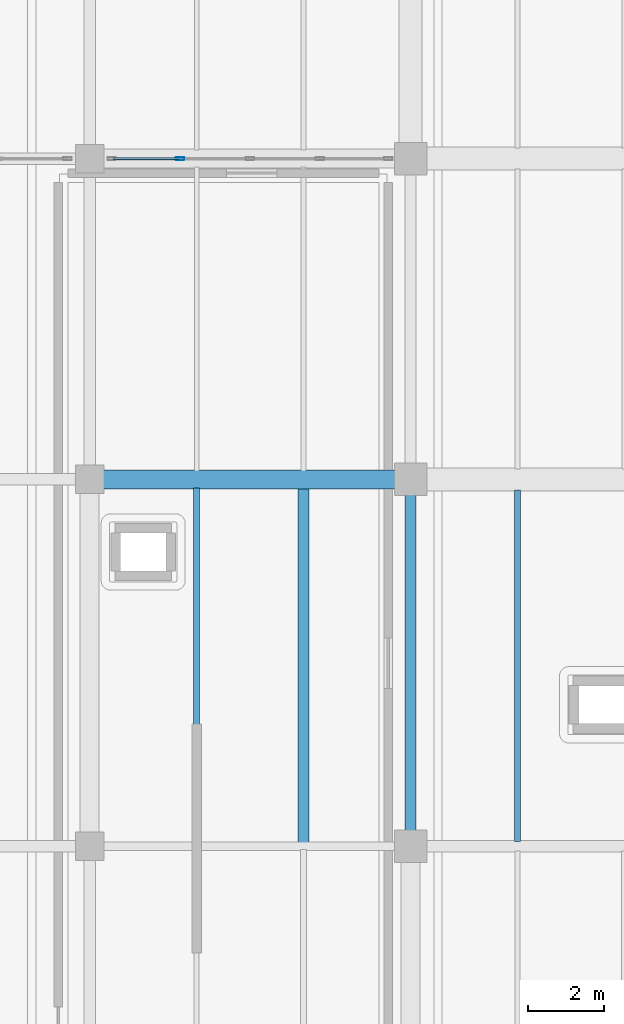
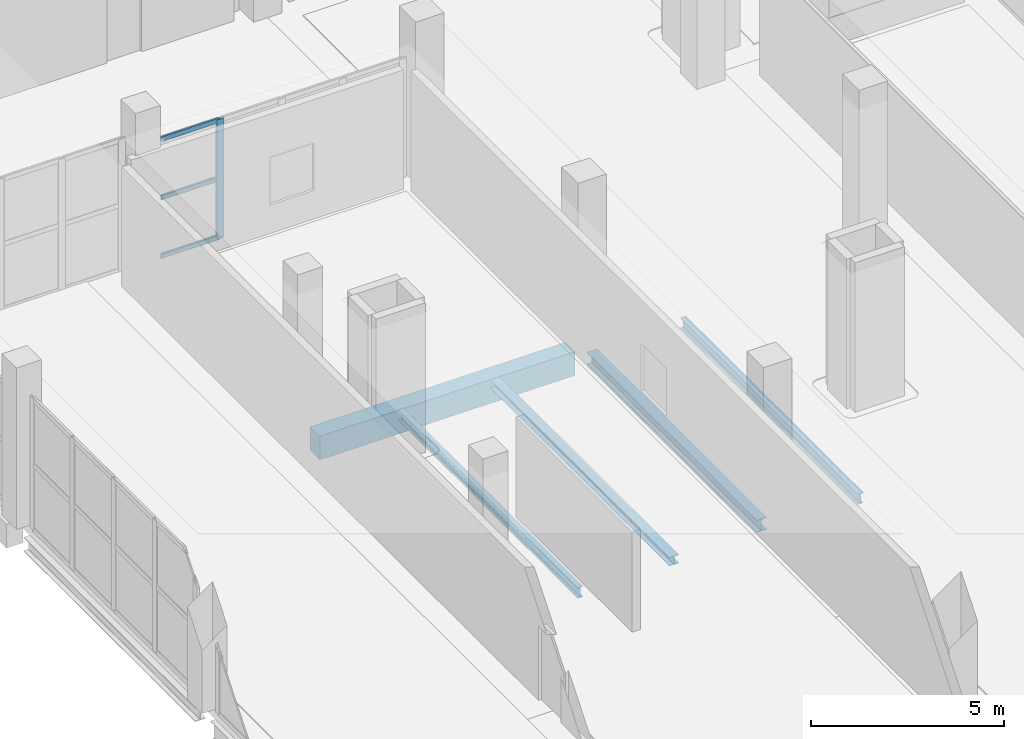
# One storey, part 24 of 66: 5 beams, 4 members, 1 element without a shape of its own.
"""IFC4 building model written with IfcOpenShell, lengths in metres."""

from ifc_helpers import new_model, si_unit, direction, frame, origin, origin_2d, place, context, subcontext, project, spatial, rectangle, hollow_rectangle, i_section, extrude, material, layer, layer_set, material_profile, profile_set, type_object, element, aggregate, save


model = new_model("IFC4")

# Units and contexts
model_context = context("Model", 3, precision=1e-05, world=origin(), true_north=direction((0.0, 1.0)))
body_context = subcontext(model_context, "Body", "Model", "MODEL_VIEW")
ifc_project = project(units=[si_unit("LENGTHUNIT", "METRE"), si_unit("AREAUNIT", "SQUARE_METRE"), si_unit("VOLUMEUNIT", "CUBIC_METRE"), si_unit("PLANEANGLEUNIT", "RADIAN"), si_unit("MASSUNIT", "GRAM", prefix="KILO")], contexts=[model_context])

# Site, building, storey
site_placement = place(None, origin())
site = spatial("IfcSite", under=ifc_project, at=site_placement, CompositionType="ELEMENT")
building_placement = place(site_placement, origin())
building = spatial("IfcBuilding", under=site, at=building_placement, Name="Zulmaris Art Gallery", CompositionType="ELEMENT")
storey_placement = place(building_placement, frame((0.0, 0.0, 5.39990234375)))
storey = spatial("IfcBuildingStorey", under=building, at=storey_placement, Name="L01", CompositionType="ELEMENT", Elevation=5.39990234375)

# Beams
ifc_material_1 = material(Name="Steel S355J2", Category="steel")
ifc_material_profile_1 = material_profile(ifc_material_1, i_section(OverallWidth=0.300048828125, OverallDepth=0.389892578125, WebThickness=0.010986328125, FlangeThickness=0.01904296875, FilletRadius=0.027099609375, at=origin_2d()), Name="HEA 400")
ifc_profile_set_1 = profile_set([ifc_material_profile_1], Name="Steel S355J2")
beam_type_1 = type_object("IfcBeamType", Name="BEAM-BM09", PredefinedType="BEAM", material=ifc_profile_set_1)
beam_1_placement = place(storey_placement, frame((141.60009765625, 41.2099609375, -0.52490234375), z_axis=(0.0, 1.0, 0.0), x_axis=(-1.0, 0.0, 0.0)))
element("IfcBeam", 1, at=beam_1_placement, inside=storey, type_object=beam_type_1, Name="L01 Y-girder (x=141.6, 40.8..50.4)", PredefinedType="BEAM", context=body_context, shape_type="SweptSolid", body=[
    extrude(i_section(OverallWidth=0.300048828125, OverallDepth=0.389892578125, WebThickness=0.010986328125, FlangeThickness=0.01904296875, FilletRadius=0.027099609375, at=origin_2d()), origin(), (0.0, 0.0, 1.0), 8.780029296875),
])
ifc_material_2 = material(Name="Concrete C40/50", Category="concrete")
ifc_material_profile_2 = material_profile(ifc_material_2, rectangle(XDim=0.5, YDim=0.75, at=origin_2d()), Name="RC 500x750")
ifc_profile_set_2 = profile_set([ifc_material_profile_2], Name="Concrete C40/50")
beam_type_2 = type_object("IfcBeamType", Name="BEAM-BM20", PredefinedType="BEAM", material=ifc_profile_set_2)
beam_2_placement = place(storey_placement, frame((133.56005859375, 50.39990234375, -0.704833984375), z_axis=(1.0, 0.0, 0.0), x_axis=(0.0, 1.0, 0.0)))
element("IfcBeam", 2, at=beam_2_placement, inside=storey, type_object=beam_type_2, Name="L01 X-girder (133.2..141.6, y=50.4)", PredefinedType="BEAM", context=body_context, shape_type="SweptSolid", body=[
    extrude(rectangle(XDim=0.5, YDim=0.75, at=origin_2d()), origin(), (0.0, 0.0, 1.0), 7.6298828125),
])
ifc_material_profile_3 = material_profile(ifc_material_1, i_section(OverallWidth=0.159912109375, OverallDepth=0.330078125, WebThickness=0.007568359375, FlangeThickness=0.011474609375, FilletRadius=0.01806640625, at=origin_2d()), Name="IPE 330")
ifc_profile_set_3 = profile_set([ifc_material_profile_3], Name="Steel S355J2")
beam_type_3 = type_object("IfcBeamType", Name="BEAM-JS03", PredefinedType="JOIST", material=ifc_profile_set_3)
beam_3_placement = place(storey_placement, frame((136.0, 40.885009765625, -0.494873046875), z_axis=(0.0, 1.0, 0.0), x_axis=(-1.0, 0.0, 0.0)))
element("IfcBeam", 3, at=beam_3_placement, inside=storey, type_object=beam_type_3, Name="L01 secondary joist at x=136.0", PredefinedType="JOIST", context=body_context, shape_type="SweptSolid", body=[
    extrude(i_section(OverallWidth=0.159912109375, OverallDepth=0.330078125, WebThickness=0.007568359375, FlangeThickness=0.011474609375, FilletRadius=0.01806640625, at=origin_2d()), origin(), (0.0, 0.0, 1.0), 9.2900390625),
])
beam_4_placement = place(storey_placement, frame((144.39990234375, 40.925048828125, -0.494873046875), z_axis=(0.0, 1.0, 0.0), x_axis=(-1.0, 0.0, 0.0)))
element("IfcBeam", 4, at=beam_4_placement, inside=storey, type_object=beam_type_3, Name="L01 secondary joist at x=144.4", PredefinedType="JOIST", context=body_context, shape_type="SweptSolid", body=[
    extrude(i_section(OverallWidth=0.159912109375, OverallDepth=0.330078125, WebThickness=0.007568359375, FlangeThickness=0.011474609375, FilletRadius=0.01806640625, at=origin_2d()), origin(), (0.0, 0.0, 1.0), 9.199951171875),
])
ifc_material_profile_4 = material_profile(ifc_material_1, i_section(OverallWidth=0.280029296875, OverallDepth=0.27001953125, WebThickness=0.008056640625, FlangeThickness=0.012939453125, FilletRadius=0.02392578125, at=origin_2d()), Name="HEA 280")
ifc_profile_set_4 = profile_set([ifc_material_profile_4], Name="Steel S355J2")
beam_type_4 = type_object("IfcBeamType", Name="BEAM-JS04", PredefinedType="JOIST", material=ifc_profile_set_4)
beam_5_placement = place(storey_placement, frame((138.800048828125, 40.885009765625, -0.46484375), z_axis=(0.0, 1.0, 0.0), x_axis=(-1.0, 0.0, 0.0)))
element("IfcBeam", 5, at=beam_5_placement, inside=storey, type_object=beam_type_4, Name="L01 secondary joist at x=138.8", PredefinedType="JOIST", context=body_context, shape_type="SweptSolid", body=[
    extrude(i_section(OverallWidth=0.280029296875, OverallDepth=0.27001953125, WebThickness=0.008056640625, FlangeThickness=0.012939453125, FilletRadius=0.02392578125, at=origin_2d()), origin(), (0.0, 0.0, 1.0), 9.2900390625),
])

# Curtain wall, members
ifc_material_3 = material(Name="Unitised Low-E Gallery Curtain Wall", Category="aluminium")
ifc_layer = layer(ifc_material_3, 0.179931640625)
ifc_layer_set = layer_set([ifc_layer], Name="Unitised Low-E Gallery Curtain Wall")
curtain_wall_type = type_object("IfcCurtainWallType", Name="CW-CW01", PredefinedType="NOTDEFINED", material=ifc_layer_set)
curtain_wall_placement = place(storey_placement, origin())
curtain_wall = element("IfcCurtainWall", 6, at=curtain_wall_placement, inside=storey, type_object=curtain_wall_type, Name="L01 curtain wall 99", PredefinedType="NOTDEFINED")
ifc_material_4 = material(Name="Anodised Bronze Aluminium", Category="aluminium")
ifc_material_profile_5 = material_profile(ifc_material_4, hollow_rectangle(XDim=0.074951171875, YDim=0.219970703125, WallThickness=0.0048828125, InnerFilletRadius=0.007568359375, OuterFilletRadius=0.012451171875, at=origin_2d()), Name="ALU 75x220x5")
ifc_profile_set_5 = profile_set([ifc_material_profile_5], Name="Anodised Bronze Aluminium")
member_type_1 = type_object("IfcMemberType", Name="CWMUL-02", PredefinedType="MULLION", material=ifc_profile_set_5)
member_1_placement = place(storey_placement, frame((135.570068359375, 58.800048828125, 0.0), z_axis=(0.0, 0.0, 1.0), x_axis=(0.0, 1.0, 0.0)))
member_1 = element("IfcMember", 7, at=member_1_placement, type_object=member_type_1, Name="CW01 mullion 2", PredefinedType="MULLION", context=body_context, shape_type="SweptSolid", body=[
    extrude(hollow_rectangle(XDim=0.074951171875, YDim=0.219970703125, WallThickness=0.0048828125, InnerFilletRadius=0.007568359375, OuterFilletRadius=0.012451171875, at=origin_2d()), origin(), (0.0, 0.0, 1.0), 3.77001953125),
])
ifc_material_profile_6 = material_profile(ifc_material_4, hollow_rectangle(XDim=0.06494140625, YDim=0.14990234375, WallThickness=0.00390625, InnerFilletRadius=0.006103515625, OuterFilletRadius=0.010009765625, at=origin_2d()), Name="ALU 65x150x4")
ifc_profile_set_6 = profile_set([ifc_material_profile_6], Name="Anodised Bronze Aluminium")
member_type_2 = type_object("IfcMemberType", Name="CWTRN-01", PredefinedType="USERDEFINED", material=ifc_profile_set_6)
member_2_placement = place(storey_placement, frame((133.81494140625, 58.800048828125, 0.03759765625), z_axis=(1.0, 0.0, 0.0), x_axis=(0.0, 1.0, 0.0)))
member_2 = element("IfcMember", 8, at=member_2_placement, type_object=member_type_2, Name="CW01 transom 1.1", ObjectType="TRANSOM", PredefinedType="USERDEFINED", context=body_context, shape_type="SweptSolid", body=[
    extrude(hollow_rectangle(XDim=0.06494140625, YDim=0.14990234375, WallThickness=0.00390625, InnerFilletRadius=0.006103515625, OuterFilletRadius=0.010009765625, at=origin_2d()), origin(), (0.0, 0.0, 1.0), 1.717529296875),
])
member_3_placement = place(storey_placement, frame((133.81494140625, 58.800048828125, 1.885009765625), z_axis=(1.0, 0.0, 0.0), x_axis=(0.0, 1.0, 0.0)))
member_3 = element("IfcMember", 9, at=member_3_placement, type_object=member_type_2, Name="CW01 transom 1.2", ObjectType="TRANSOM", PredefinedType="USERDEFINED", context=body_context, shape_type="SweptSolid", body=[
    extrude(hollow_rectangle(XDim=0.06494140625, YDim=0.14990234375, WallThickness=0.00390625, InnerFilletRadius=0.006103515625, OuterFilletRadius=0.010009765625, at=origin_2d()), origin(), (0.0, 0.0, 1.0), 1.717529296875),
])
member_4_placement = place(storey_placement, frame((133.81494140625, 58.800048828125, 3.732666015625), z_axis=(1.0, 0.0, 0.0), x_axis=(0.0, 1.0, 0.0)))
member_4 = element("IfcMember", 10, at=member_4_placement, type_object=member_type_2, Name="CW01 transom 1.3", ObjectType="TRANSOM", PredefinedType="USERDEFINED", context=body_context, shape_type="SweptSolid", body=[
    extrude(hollow_rectangle(XDim=0.06494140625, YDim=0.14990234375, WallThickness=0.00390625, InnerFilletRadius=0.006103515625, OuterFilletRadius=0.010009765625, at=origin_2d()), origin(), (0.0, 0.0, 1.0), 1.717529296875),
])
aggregate(curtain_wall, [member_1, member_2, member_3, member_4])

save(model, "model.ifc")
